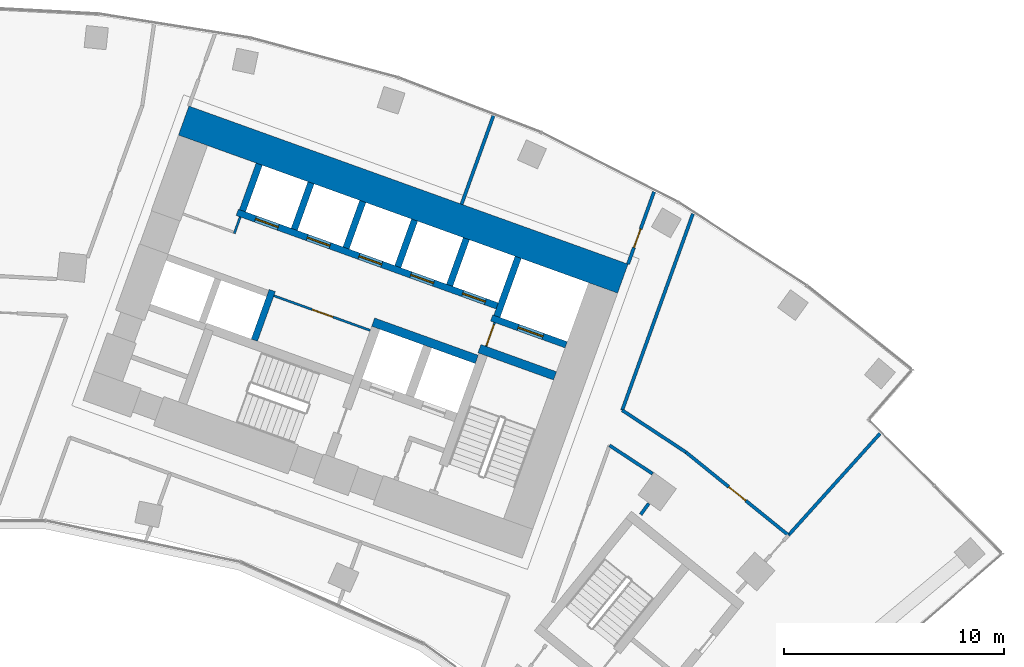
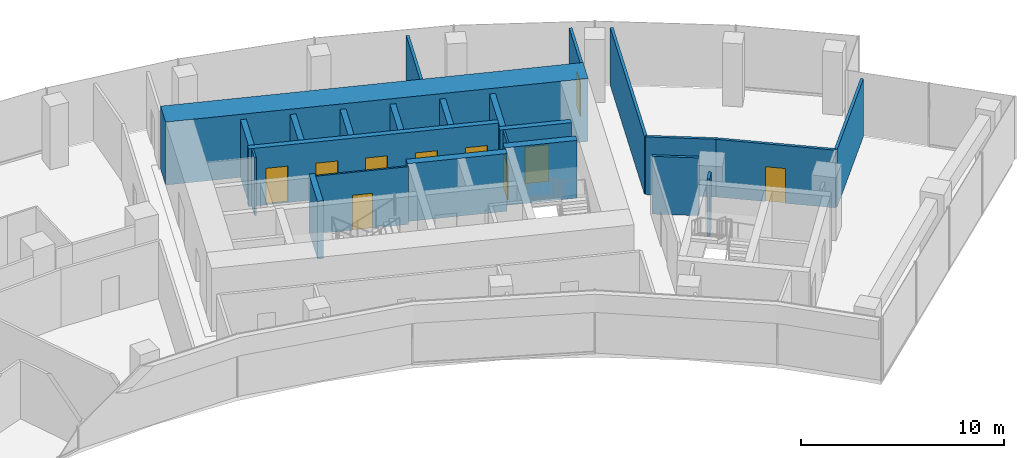
# One storey, part 17 of 20: 23 walls, 10 doors, 10 openings.
"""IFC4 building model written with IfcOpenShell, lengths in metres."""

import ifcopenshell
import ifcopenshell.guid

model = None  # the IFC model being written
_history = None  # IfcOwnerHistory: only IFC2X3 demands one
_inside = {}  # id of a spatial element -> (the spatial element, [elements in it])
_under = {}  # id of a project, library or spatial element -> (it, [spatial elements below it])
_declared = {}  # id of a project -> (the project, [libraries it declares])
_typed = {}  # id of a type object -> (the type object, [elements of that type])
_made_of = {}  # id of a material, layer set ... -> (it, [elements and type objects made of it])


def new_model(schema):
    """Start an empty IFC model of exactly this schema.

    Asked for "IFC4X3", IfcOpenShell would pick the latest addendum, in which some entities
    have other attributes; the version numbers below select the first issue.
    IFC2X3 requires an IfcOwnerHistory on every rooted entity: one is made here for all.
    """
    global model, _history
    if schema == "IFC4X3":
        model = ifcopenshell.file(schema_version=(4, 3, 0, 0))
    else:
        model = ifcopenshell.file(schema=schema)
    _inside.clear()
    _under.clear()
    _declared.clear()
    _typed.clear()
    _made_of.clear()
    _history = None
    if model.schema == "IFC2X3":
        org = make("IfcOrganization", Name="unknown")
        user = make(
            "IfcPersonAndOrganization",
            ThePerson=make("IfcPerson", FamilyName="unknown"),
            TheOrganization=org,
        )
        app = make(
            "IfcApplication",
            ApplicationDeveloper=org,
            Version="unknown",
            ApplicationFullName="unknown",
            ApplicationIdentifier="unknown",
        )
        _history = make(
            "IfcOwnerHistory",
            OwningUser=user,
            OwningApplication=app,
            ChangeAction="ADDED",
            CreationDate=0,
        )
    return model


def make(cls, **values):
    """One entity of the class cls with the attributes given. An attribute that is None is left unset."""
    return model.create_entity(
        cls, **{name: value for name, value in values.items() if value is not None}
    )


def rooted(cls, **values):
    """An entity with a GlobalId (a new one), such as an element, a storey or a relation."""
    return make(cls, GlobalId=ifcopenshell.guid.new(), OwnerHistory=_history, **values)


def si_unit(unit_type, name, prefix=None):
    """IfcSIUnit, for example si_unit("LENGTHUNIT", "METRE", prefix="MILLI")."""
    return make("IfcSIUnit", UnitType=unit_type, Prefix=prefix, Name=name)


def assignment(units):
    """IfcUnitAssignment: the units of a project."""
    return None if units is None else make("IfcUnitAssignment", Units=units)


def point(xyz):
    """IfcCartesianPoint."""
    return None if xyz is None else make("IfcCartesianPoint", Coordinates=xyz)


def direction(xyz):
    """IfcDirection."""
    return None if xyz is None else make("IfcDirection", DirectionRatios=xyz)


def frame(location, z_axis=None, x_axis=None):
    """IfcAxis2Placement3D, a coordinate frame: its origin and axes. An axis left out is left unset."""
    return make(
        "IfcAxis2Placement3D",
        Location=point(location),
        Axis=direction(z_axis),
        RefDirection=direction(x_axis),
    )


def frame_2d(location, x_axis=None):
    """IfcAxis2Placement2D, a coordinate frame in the plane: its origin and x axis."""
    return make(
        "IfcAxis2Placement2D", Location=point(location), RefDirection=direction(x_axis)
    )


def origin():
    """The frame at (0, 0, 0) with its axes left unset."""
    return frame((0.0, 0.0, 0.0))


def place(relative_to, where):
    """IfcLocalPlacement: puts the frame where relative to a parent placement (None: the world)."""
    return make(
        "IfcLocalPlacement", PlacementRelTo=relative_to, RelativePlacement=where
    )


def context(
    kind, dimensions, precision=None, world=None, true_north=None, identifier=None
):
    """IfcGeometricRepresentationContext, for example the 3D "Model" context."""
    return make(
        "IfcGeometricRepresentationContext",
        ContextIdentifier=identifier,
        ContextType=kind,
        CoordinateSpaceDimension=dimensions,
        Precision=precision,
        WorldCoordinateSystem=world,
        TrueNorth=true_north,
    )


def subcontext(parent, identifier, kind, view, scale=None):
    """IfcGeometricRepresentationSubContext, for example "Body" below "Model"."""
    return make(
        "IfcGeometricRepresentationSubContext",
        ContextIdentifier=identifier,
        ContextType=kind,
        ParentContext=parent,
        TargetScale=scale,
        TargetView=view,
    )


def project(units=None, contexts=None):
    """IfcProject with its units and contexts."""
    return rooted(
        "IfcProject",
        Name="project",
        RepresentationContexts=contexts,
        UnitsInContext=assignment(units),
    )


def spatial(cls, under=None, at=None, **own):
    """A site, building, storey or space (cls), placed at a placement, below another one or the project."""
    s = rooted(cls, ObjectPlacement=at, **own)
    if under is not None:
        _under.setdefault(under.id(), (under, []))[1].append(s)
    return s


def profile(cls, at=None, kind="AREA", **sizes):
    """A parametric profile (cls). Its sizes go by their IFC names, for example OverallWidth=200.0."""
    return make(cls, ProfileType=kind, Position=at, **sizes)


def rectangle(**sizes):
    """IfcRectangleProfileDef."""
    return profile("IfcRectangleProfileDef", **sizes)


def extrude(swept, where, along, depth):
    """IfcExtrudedAreaSolid: the profile swept, set in the frame where, extruded along a direction by depth."""
    return make(
        "IfcExtrudedAreaSolid",
        SweptArea=swept,
        Position=where,
        ExtrudedDirection=direction(along),
        Depth=depth,
    )


def shape(context_of_items, identifier, shape_type, items):
    """IfcShapeRepresentation: the items that make up one representation, for example the "Body"."""
    return make(
        "IfcShapeRepresentation",
        ContextOfItems=context_of_items,
        RepresentationIdentifier=identifier,
        RepresentationType=shape_type,
        Items=items,
    )


def material(Name=None, Category=None):
    """IfcMaterial."""
    return make("IfcMaterial", Name=Name, Category=Category)


def layer(
    of_material, thickness, ventilated=None, Name=None, Category=None, Priority=None
):
    """IfcMaterialLayer: one layer of a wall or slab, of a material (None: an air gap)."""
    return make(
        "IfcMaterialLayer",
        Material=of_material,
        LayerThickness=thickness,
        IsVentilated=ventilated,
        Name=Name,
        Category=Category,
        Priority=Priority,
    )


def layer_set(layers, Name=None):
    """IfcMaterialLayerSet."""
    return make("IfcMaterialLayerSet", MaterialLayers=layers, LayerSetName=Name)


def made_of(thing, what):
    """Note that an element or type object is made of a material, layer set ...; save() writes the relation."""
    if what is not None:
        _made_of.setdefault(what.id(), (what, []))[1].append(thing)
    return thing


def type_object(cls, material=None, **own):
    """A type object (cls), such as IfcWallType, which elements share."""
    return made_of(rooted(cls, **own), material)


def element(
    cls,
    number,
    at=None,
    inside=None,
    cuts=None,
    type_object=None,
    material=None,
    context=None,
    identifier="Body",
    shape_type=None,
    held_by="IfcProductDefinitionShape",
    body=None,
    shapes=None,
    **own,
):
    """One element of the class cls, such as IfcWall. Its Tag is "e" and its number.

    at: its placement. inside: the storey or other place that contains it. cuts: it is an
    opening in that element (IfcRelVoidsElement). A single representation is given by context,
    identifier, shape_type and body (its items); several are given by shapes. held_by: the class
    of the entity that holds the representations. save() writes the other relations.
    """
    e = rooted(cls, Tag="e%d" % number, ObjectPlacement=at, **own)
    if body is not None:
        shapes = [shape(context, identifier, shape_type, body)]
    if shapes is not None:
        e.Representation = make(held_by, Representations=shapes)
    if inside is not None:
        _inside.setdefault(inside.id(), (inside, []))[1].append(e)
    if cuts is not None:
        rooted(
            "IfcRelVoidsElement", RelatingBuildingElement=cuts, RelatedOpeningElement=e
        )
    if type_object is not None:
        _typed.setdefault(type_object.id(), (type_object, []))[1].append(e)
    return made_of(e, material)


def fill(opening, filler):
    """IfcRelFillsElement: the door or window that sits in an opening."""
    return rooted(
        "IfcRelFillsElement",
        RelatingOpeningElement=opening,
        RelatedBuildingElement=filler,
    )


def aggregate(whole, parts):
    """IfcRelAggregates: a whole, such as a stair, and the parts it consists of."""
    return rooted("IfcRelAggregates", RelatingObject=whole, RelatedObjects=parts)


def save(model, path):
    """Write the relations noted so far, then the file.

    IfcRelAggregates (storeys below a building ...), IfcRelContainedInSpatialStructure (elements
    in a storey), IfcRelDefinesByType, IfcRelAssociatesMaterial and IfcRelDeclares: one each for
    every whole, place, type object, material and project.
    """
    for whole, parts in _under.values():
        aggregate(whole, parts)
    for where, things in _inside.values():
        rooted(
            "IfcRelContainedInSpatialStructure",
            RelatedElements=things,
            RelatingStructure=where,
        )
    for kind, things in _typed.values():
        rooted("IfcRelDefinesByType", RelatedObjects=things, RelatingType=kind)
    for what, things in _made_of.values():
        rooted("IfcRelAssociatesMaterial", RelatedObjects=things, RelatingMaterial=what)
    for by, libraries in _declared.values():
        rooted("IfcRelDeclares", RelatingContext=by, RelatedDefinitions=libraries)
    model.write(path)


model = new_model("IFC4")

# Units and contexts
model_context = context("Model", 3, precision=1e-05, world=origin(), true_north=direction((0.0, 1.0)))
body_context = subcontext(model_context, "Body", "Model", "MODEL_VIEW")
ifc_project = project(units=[si_unit("LENGTHUNIT", "METRE"), si_unit("AREAUNIT", "SQUARE_METRE"), si_unit("VOLUMEUNIT", "CUBIC_METRE"), si_unit("PLANEANGLEUNIT", "RADIAN"), si_unit("MASSUNIT", "GRAM", prefix="KILO")], contexts=[model_context])

# Site, building, storey
site_placement = place(None, origin())
site = spatial("IfcSite", under=ifc_project, at=site_placement, CompositionType="ELEMENT")
building_placement = place(site_placement, origin())
building = spatial("IfcBuilding", under=site, at=building_placement, Name="Stone Belt Terrace Tower", CompositionType="ELEMENT")
storey_placement = place(building_placement, frame((0.0, 0.0, 174.39990234375)))
storey = spatial("IfcBuildingStorey", under=building, at=storey_placement, Name="L42", CompositionType="ELEMENT", Elevation=174.39990234375)

# Wall, opening, door
ifc_material_1 = material(Name="Plasterboard partition")
ifc_layer_1 = layer(ifc_material_1, 0.10009765625)
ifc_layer_set_1 = layer_set([ifc_layer_1], Name="Core partition 100")
wall_type_1 = type_object("IfcWallType", Name="Core partition 100", PredefinedType="PARTITIONING", material=ifc_layer_set_1)
wall_1_placement = place(storey_placement, frame((24.555908203125, 51.10400390625, 0.0), z_axis=(0.0, 0.0, 1.0), x_axis=(0.338621735342, 0.94092258999, 0.0)))
wall_1 = element("IfcWall", 1, at=wall_1_placement, inside=storey, type_object=wall_type_1, Name="Core B wall", PredefinedType="PARTITIONING", context=body_context, shape_type="SweptSolid", body=[
    extrude(rectangle(XDim=1.14990234375, YDim=0.10009765625, at=frame_2d((0.574951171875, 0.0))), origin(), (0.0, 0.0, 1.0), 3.47998046875),
])
opening_1_placement = place(wall_1_placement, frame((0.050048828125, 0.0, 0.0)))
opening_1 = element("IfcOpeningElement", 2, at=opening_1_placement, cuts=wall_1, Name="Opening L42-C14", PredefinedType="OPENING", context=body_context, shape_type="SweptSolid", body=[
    extrude(rectangle(XDim=1.0, YDim=2.10009765625, at=frame_2d((0.5, 1.050048828125))), frame((0.0, 0.06005859375, 0.0), z_axis=(0.0, -1.0, 0.0), x_axis=(1.0, 0.0, 0.0)), (0.0, 0.0, 1.0), 0.1201171875),
])
ifc_material_2 = material(Name="Timber door leaf", Category="wood")
door_type_1 = type_object("IfcDoorType", Name="Core room door 1000", OperationType="SINGLE_SWING_LEFT", PredefinedType="DOOR", material=ifc_material_2)
door_1_placement = place(opening_1_placement, origin())
door_1 = element("IfcDoor", 3, at=door_1_placement, inside=storey, type_object=door_type_1, Name="Service lift lobby door core B", OperationType="SINGLE_SWING_RIGHT", OverallHeight=2.10009765625, OverallWidth=1.0, PredefinedType="DOOR", context=body_context, shape_type="SweptSolid", body=[
    extrude(rectangle(XDim=1.0, YDim=2.10009765625, at=frame_2d((0.5, 1.050048828125))), frame((0.0, 0.02490234375, 0.0), z_axis=(0.0, -1.0, 0.0), x_axis=(1.0, 0.0, 0.0)), (0.0, 0.0, 1.0), 0.050048828125),
])
fill(opening_1, door_1)

wall_2_placement = place(storey_placement, frame((19.29052734375, 51.829833984375, 0.0), z_axis=(0.0, 0.0, 1.0), x_axis=(-0.940930240745, 0.338600475563, 0.0)))
wall_2 = element("IfcWall", 4, at=wall_2_placement, inside=storey, type_object=wall_type_1, Name="Core B wall", PredefinedType="PARTITIONING", context=body_context, shape_type="SweptSolid", body=[
    extrude(rectangle(XDim=4.64990234375, YDim=0.10009765625, at=frame_2d((2.324951171875, 0.0))), origin(), (0.0, 0.0, 1.0), 3.47998046875),
])
opening_2_placement = place(wall_2_placement, frame((1.800048828125, 0.0, 0.0)))
opening_2 = element("IfcOpeningElement", 5, at=opening_2_placement, cuts=wall_2, Name="Opening L42-C13", PredefinedType="OPENING", context=body_context, shape_type="SweptSolid", body=[
    extrude(rectangle(XDim=1.0, YDim=2.10009765625, at=frame_2d((0.5, 1.050048828125))), frame((0.0, 0.06005859375, 0.0), z_axis=(0.0, -1.0, 0.0), x_axis=(1.0, 0.0, 0.0)), (0.0, 0.0, 1.0), 0.1201171875),
])
door_2_placement = place(opening_2_placement, origin())
door_2 = element("IfcDoor", 6, at=door_2_placement, inside=storey, type_object=door_type_1, Name="Door to Staff pantry core B", OperationType="SINGLE_SWING_RIGHT", OverallHeight=2.10009765625, OverallWidth=1.0, PredefinedType="DOOR", context=body_context, shape_type="SweptSolid", body=[
    extrude(rectangle(XDim=1.0, YDim=2.10009765625, at=frame_2d((0.5, 1.050048828125))), frame((0.0, 0.02490234375, 0.0), z_axis=(0.0, -1.0, 0.0), x_axis=(1.0, 0.0, 0.0)), (0.0, 0.0, 1.0), 0.050048828125),
])
fill(opening_2, door_2)

# Walls
wall_3_placement = place(storey_placement, frame((13.115966796875, 56.230712890625, 0.0), z_axis=(0.0, 0.0, 1.0), x_axis=(0.338481684961, 0.940972979923, 0.0)))
element("IfcWall", 7, at=wall_3_placement, inside=storey, type_object=wall_type_1, Name="Core B wall", PredefinedType="PARTITIONING", context=body_context, shape_type="SweptSolid", body=[
    extrude(rectangle(XDim=0.7998046875, YDim=0.10009765625, at=frame_2d((0.39990234375, 0.0))), origin(), (0.0, 0.0, 1.0), 3.47998046875),
])
ifc_material_3 = material(Name="Concrete B80", Category="concrete")
ifc_layer_2 = layer(ifc_material_3, 1.39990234375)
ifc_layer_set_2 = layer_set([ifc_layer_2], Name="Core wall 1400 B80")
wall_type_2 = type_object("IfcWallType", Name="Core wall 1400 B80", PredefinedType="SHEAR", material=ifc_layer_set_2)
wall_4_placement = place(storey_placement, frame((10.81787109375, 61.362060546875, 0.0), z_axis=(0.0, 0.0, 1.0), x_axis=(0.940919704758, -0.338629752382, 0.0)))
element("IfcWall", 8, at=wall_4_placement, inside=storey, type_object=wall_type_2, Name="Core B wall convex L42", PredefinedType="SHEAR", context=body_context, shape_type="SweptSolid", body=[
    extrude(rectangle(XDim=21.199951171875, YDim=1.39990234375, at=frame_2d((10.60009765625, 0.0))), origin(), (0.0, 0.0, 1.0), 3.800048828125),
])
ifc_layer_3 = layer(ifc_material_3, 0.39990234375)
ifc_layer_set_3 = layer_set([ifc_layer_3], Name="Fire-fighting lift shaft wall 400")
wall_type_3 = type_object("IfcWallType", Name="Fire-fighting lift shaft wall 400", PredefinedType="SHEAR", material=ifc_layer_set_3)
wall_5_placement = place(storey_placement, frame((24.130615234375, 50.512939453125, 0.0), z_axis=(0.0, 0.0, 1.0), x_axis=(-0.94091168377, 0.338652038744, 0.0)))
element("IfcWall", 9, at=wall_5_placement, inside=storey, type_object=wall_type_3, Name="Core B wall", PredefinedType="SHEAR", context=body_context, shape_type="SweptSolid", body=[
    extrude(rectangle(XDim=5.000244140625, YDim=0.39990234375, at=frame_2d((2.5, 0.0))), origin(), (0.0, 0.0, 1.0), 3.47998046875),
])

# Wall, opening, door
ifc_layer_4 = layer(ifc_material_3, 0.300048828125)
ifc_layer_set_4 = layer_set([ifc_layer_4], Name="Lift shaft wall 300")
wall_type_4 = type_object("IfcWallType", Name="Lift shaft wall 300", PredefinedType="SHEAR", material=ifc_layer_set_4)
wall_6_placement = place(storey_placement, frame((28.195068359375, 51.17578125, 0.0), z_axis=(0.0, 0.0, 1.0), x_axis=(-0.940901243567, 0.338681044427, 0.0)))
wall_6 = element("IfcWall", 10, at=wall_6_placement, inside=storey, type_object=wall_type_4, Name="Core B wall", PredefinedType="SHEAR", context=body_context, shape_type="SweptSolid", body=[
    extrude(rectangle(XDim=3.599853515625, YDim=0.300048828125, at=frame_2d((1.7998046875, 0.0))), origin(), (0.0, 0.0, 1.0), 3.47998046875),
])
opening_3_placement = place(wall_6_placement, frame((1.1201171875, 0.0, 0.0)))
opening_3 = element("IfcOpeningElement", 11, at=opening_3_placement, cuts=wall_6, Name="Opening L42-LD16", PredefinedType="OPENING", context=body_context, shape_type="SweptSolid", body=[
    extrude(rectangle(XDim=1.199951171875, YDim=2.199951171875, at=frame_2d((0.60009765625, 1.10009765625))), frame((0.0, 0.159912109375, 0.0), z_axis=(0.0, -1.0, 0.0), x_axis=(1.0, 0.0, 0.0)), (0.0, 0.0, 1.0), 0.320068359375),
])
ifc_material_4 = material(Name="Stainless steel door leaf", Category="steel")
door_type_2 = type_object("IfcDoorType", Name="Landing door 1200", OperationType="SLIDING_TO_LEFT", PredefinedType="DOOR", material=ifc_material_4)
door_3_placement = place(opening_3_placement, origin())
door_3 = element("IfcDoor", 12, at=door_3_placement, inside=storey, type_object=door_type_2, Name="Landing door SV1 core B", OperationType="SLIDING_TO_LEFT", OverallHeight=2.199951171875, OverallWidth=1.199951171875, PredefinedType="DOOR", context=body_context, shape_type="SweptSolid", body=[
    extrude(rectangle(XDim=1.199951171875, YDim=2.199951171875, at=frame_2d((0.60009765625, 1.10009765625))), frame((0.0, 0.02490234375, 0.0), z_axis=(0.0, -1.0, 0.0), x_axis=(1.0, 0.0, 0.0)), (0.0, 0.0, 1.0), 0.050048828125),
])
fill(opening_3, door_3)

# Wall
wall_7_placement = place(storey_placement, frame((25.046875, 52.46826171875, 0.0), z_axis=(0.0, 0.0, 1.0), x_axis=(0.338549588058, 0.940948551423, 0.0)))
element("IfcWall", 13, at=wall_7_placement, inside=storey, type_object=wall_type_4, Name="Core B wall", PredefinedType="SHEAR", context=body_context, shape_type="SweptSolid", body=[
    extrude(rectangle(XDim=2.849853515625, YDim=0.300048828125, at=frame_2d((1.4248046875, 0.0))), origin(), (0.0, 0.0, 1.0), 3.47998046875),
])

# Wall, openings, doors
wall_8_placement = place(storey_placement, frame((25.05810546875, 52.9423828125, 0.0), z_axis=(0.0, 0.0, 1.0), x_axis=(-0.940921381676, 0.338625092847, 0.0)))
wall_8 = element("IfcWall", 14, at=wall_8_placement, inside=storey, type_object=wall_type_4, Name="Core B wall", PredefinedType="SHEAR", context=body_context, shape_type="SweptSolid", body=[
    extrude(rectangle(XDim=12.550048828125, YDim=0.300048828125, at=frame_2d((6.27490234375, 0.0))), origin(), (0.0, 0.0, 1.0), 3.47998046875),
])
opening_4_placement = place(wall_8_placement, frame((0.570068359375, 0.0, 0.0)))
opening_4 = element("IfcOpeningElement", 15, at=opening_4_placement, cuts=wall_8, Name="Opening L42-LD09", PredefinedType="OPENING", context=body_context, shape_type="SweptSolid", body=[
    extrude(rectangle(XDim=1.10009765625, YDim=2.199951171875, at=frame_2d((0.550048828125, 1.10009765625))), frame((0.0, 0.159912109375, 0.0), z_axis=(0.0, -1.0, 0.0), x_axis=(1.0, 0.0, 0.0)), (0.0, 0.0, 1.0), 0.320068359375),
])
opening_5_placement = place(wall_8_placement, frame((3.070068359375, 0.0, 0.0)))
opening_5 = element("IfcOpeningElement", 16, at=opening_5_placement, cuts=wall_8, Name="Opening L42-LD10", PredefinedType="OPENING", context=body_context, shape_type="SweptSolid", body=[
    extrude(rectangle(XDim=1.10009765625, YDim=2.199951171875, at=frame_2d((0.550048828125, 1.10009765625))), frame((0.0, 0.159912109375, 0.0), z_axis=(0.0, -1.0, 0.0), x_axis=(1.0, 0.0, 0.0)), (0.0, 0.0, 1.0), 0.320068359375),
])
opening_6_placement = place(wall_8_placement, frame((5.570068359375, 0.0, 0.0)))
opening_6 = element("IfcOpeningElement", 17, at=opening_6_placement, cuts=wall_8, Name="Opening L42-LD11", PredefinedType="OPENING", context=body_context, shape_type="SweptSolid", body=[
    extrude(rectangle(XDim=1.10009765625, YDim=2.199951171875, at=frame_2d((0.550048828125, 1.10009765625))), frame((0.0, 0.159912109375, 0.0), z_axis=(0.0, -1.0, 0.0), x_axis=(1.0, 0.0, 0.0)), (0.0, 0.0, 1.0), 0.320068359375),
])
opening_7_placement = place(wall_8_placement, frame((8.070068359375, 0.0, 0.0)))
opening_7 = element("IfcOpeningElement", 18, at=opening_7_placement, cuts=wall_8, Name="Opening L42-LD12", PredefinedType="OPENING", context=body_context, shape_type="SweptSolid", body=[
    extrude(rectangle(XDim=1.10009765625, YDim=2.199951171875, at=frame_2d((0.550048828125, 1.10009765625))), frame((0.0, 0.159912109375, 0.0), z_axis=(0.0, -1.0, 0.0), x_axis=(1.0, 0.0, 0.0)), (0.0, 0.0, 1.0), 0.320068359375),
])
opening_8_placement = place(wall_8_placement, frame((10.570068359375, 0.0, 0.0)))
opening_8 = element("IfcOpeningElement", 19, at=opening_8_placement, cuts=wall_8, Name="Opening L42-LD13", PredefinedType="OPENING", context=body_context, shape_type="SweptSolid", body=[
    extrude(rectangle(XDim=1.10009765625, YDim=2.199951171875, at=frame_2d((0.550048828125, 1.10009765625))), frame((0.0, 0.159912109375, 0.0), z_axis=(0.0, -1.0, 0.0), x_axis=(1.0, 0.0, 0.0)), (0.0, 0.0, 1.0), 0.320068359375),
])
door_type_3 = type_object("IfcDoorType", Name="Landing door 1100", OperationType="SLIDING_TO_LEFT", PredefinedType="DOOR", material=ifc_material_4)
door_4_placement = place(opening_4_placement, origin())
door_4 = element("IfcDoor", 20, at=door_4_placement, inside=storey, type_object=door_type_3, Name="Landing door MR1 core B", OperationType="SLIDING_TO_LEFT", OverallHeight=2.199951171875, OverallWidth=1.10009765625, PredefinedType="DOOR", context=body_context, shape_type="SweptSolid", body=[
    extrude(rectangle(XDim=1.10009765625, YDim=2.199951171875, at=frame_2d((0.550048828125, 1.10009765625))), frame((0.0, 0.02490234375, 0.0), z_axis=(0.0, -1.0, 0.0), x_axis=(1.0, 0.0, 0.0)), (0.0, 0.0, 1.0), 0.050048828125),
])
fill(opening_4, door_4)
door_5_placement = place(opening_5_placement, origin())
door_5 = element("IfcDoor", 21, at=door_5_placement, inside=storey, type_object=door_type_3, Name="Landing door MR2 core B", OperationType="SLIDING_TO_LEFT", OverallHeight=2.199951171875, OverallWidth=1.10009765625, PredefinedType="DOOR", context=body_context, shape_type="SweptSolid", body=[
    extrude(rectangle(XDim=1.10009765625, YDim=2.199951171875, at=frame_2d((0.550048828125, 1.10009765625))), frame((0.0, 0.02490234375, 0.0), z_axis=(0.0, -1.0, 0.0), x_axis=(1.0, 0.0, 0.0)), (0.0, 0.0, 1.0), 0.050048828125),
])
fill(opening_5, door_5)
door_6_placement = place(opening_6_placement, origin())
door_6 = element("IfcDoor", 22, at=door_6_placement, inside=storey, type_object=door_type_3, Name="Landing door MR3 core B", OperationType="SLIDING_TO_LEFT", OverallHeight=2.199951171875, OverallWidth=1.10009765625, PredefinedType="DOOR", context=body_context, shape_type="SweptSolid", body=[
    extrude(rectangle(XDim=1.10009765625, YDim=2.199951171875, at=frame_2d((0.550048828125, 1.10009765625))), frame((0.0, 0.02490234375, 0.0), z_axis=(0.0, -1.0, 0.0), x_axis=(1.0, 0.0, 0.0)), (0.0, 0.0, 1.0), 0.050048828125),
])
fill(opening_6, door_6)
door_7_placement = place(opening_7_placement, origin())
door_7 = element("IfcDoor", 23, at=door_7_placement, inside=storey, type_object=door_type_3, Name="Landing door MR4 core B", OperationType="SLIDING_TO_LEFT", OverallHeight=2.199951171875, OverallWidth=1.10009765625, PredefinedType="DOOR", context=body_context, shape_type="SweptSolid", body=[
    extrude(rectangle(XDim=1.10009765625, YDim=2.199951171875, at=frame_2d((0.550048828125, 1.10009765625))), frame((0.0, 0.02490234375, 0.0), z_axis=(0.0, -1.0, 0.0), x_axis=(1.0, 0.0, 0.0)), (0.0, 0.0, 1.0), 0.050048828125),
])
fill(opening_7, door_7)
door_8_placement = place(opening_8_placement, origin())
door_8 = element("IfcDoor", 24, at=door_8_placement, inside=storey, type_object=door_type_3, Name="Landing door MR5 core B", OperationType="SLIDING_TO_LEFT", OverallHeight=2.199951171875, OverallWidth=1.10009765625, PredefinedType="DOOR", context=body_context, shape_type="SweptSolid", body=[
    extrude(rectangle(XDim=1.10009765625, YDim=2.199951171875, at=frame_2d((0.550048828125, 1.10009765625))), frame((0.0, 0.02490234375, 0.0), z_axis=(0.0, -1.0, 0.0), x_axis=(1.0, 0.0, 0.0)), (0.0, 0.0, 1.0), 0.050048828125),
])
fill(opening_8, door_8)

# Walls
wall_9_placement = place(storey_placement, frame((22.897705078125, 53.87939453125, 0.0), z_axis=(0.0, 0.0, 1.0), x_axis=(0.338535034312, 0.940953787677, 0.0)))
element("IfcWall", 25, at=wall_9_placement, inside=storey, type_object=wall_type_4, Name="Core B wall", PredefinedType="SHEAR", context=body_context, shape_type="SweptSolid", body=[
    extrude(rectangle(XDim=2.25, YDim=0.300048828125, at=frame_2d((1.125, 0.0))), origin(), (0.0, 0.0, 1.0), 3.47998046875),
])
wall_10_placement = place(storey_placement, frame((20.54541015625, 54.72607421875, 0.0), z_axis=(0.0, 0.0, 1.0), x_axis=(0.338569601369, 0.940941350472, 0.0)))
element("IfcWall", 26, at=wall_10_placement, inside=storey, type_object=wall_type_4, Name="Core B wall", PredefinedType="SHEAR", context=body_context, shape_type="SweptSolid", body=[
    extrude(rectangle(XDim=2.249755859375, YDim=0.300048828125, at=frame_2d((1.125, 0.0))), origin(), (0.0, 0.0, 1.0), 3.47998046875),
])
wall_11_placement = place(storey_placement, frame((18.193115234375, 55.572509765625, 0.0), z_axis=(0.0, 0.0, 1.0), x_axis=(0.338535034312, 0.940953787677, 0.0)))
element("IfcWall", 27, at=wall_11_placement, inside=storey, type_object=wall_type_4, Name="Core B wall", PredefinedType="SHEAR", context=body_context, shape_type="SweptSolid", body=[
    extrude(rectangle(XDim=2.25, YDim=0.300048828125, at=frame_2d((1.125, 0.0))), origin(), (0.0, 0.0, 1.0), 3.47998046875),
])
wall_12_placement = place(storey_placement, frame((14.029052734375, 51.38525390625, 0.0), z_axis=(0.0, 0.0, 1.0), x_axis=(0.338661829791, 0.940908159728, 0.0)))
element("IfcWall", 28, at=wall_12_placement, inside=storey, type_object=wall_type_4, Name="Core B wall", PredefinedType="SHEAR", context=body_context, shape_type="SweptSolid", body=[
    extrude(rectangle(XDim=2.39990234375, YDim=0.300048828125, at=frame_2d((1.199951171875, 0.0))), origin(), (0.0, 0.0, 1.0), 3.47998046875),
])
wall_13_placement = place(storey_placement, frame((15.8408203125, 56.419189453125, 0.0), z_axis=(0.0, 0.0, 1.0), x_axis=(0.338569601369, 0.940941350472, 0.0)))
element("IfcWall", 29, at=wall_13_placement, inside=storey, type_object=wall_type_4, Name="Core B wall", PredefinedType="SHEAR", context=body_context, shape_type="SweptSolid", body=[
    extrude(rectangle(XDim=2.249755859375, YDim=0.300048828125, at=frame_2d((1.125, 0.0))), origin(), (0.0, 0.0, 1.0), 3.47998046875),
])
wall_14_placement = place(storey_placement, frame((13.48828125, 57.265625, 0.0), z_axis=(0.0, 0.0, 1.0), x_axis=(0.338631098537, 0.940919220286, 0.0)))
element("IfcWall", 30, at=wall_14_placement, inside=storey, type_object=wall_type_4, Name="Core B wall", PredefinedType="SHEAR", context=body_context, shape_type="SweptSolid", body=[
    extrude(rectangle(XDim=2.250244140625, YDim=0.300048828125, at=frame_2d((1.125, 0.0))), origin(), (0.0, 0.0, 1.0), 3.47998046875),
])

# Wall, opening, door
ifc_material_5 = material(Name="Gypsum board partition")
ifc_layer_5 = layer(ifc_material_5, 0.14990234375)
ifc_layer_set_5 = layer_set([ifc_layer_5], Name="PARTITION 150 EI 60")
wall_type_5 = type_object("IfcWallType", Name="PARTITION 150 EI 60", PredefinedType="PARTITIONING", material=ifc_layer_set_5)
wall_15_placement = place(storey_placement, frame((31.001953125, 54.842041015625, 0.0), z_axis=(0.0, 0.0, 1.0), x_axis=(0.338662585219, 0.940907887826, 0.0)))
wall_15 = element("IfcWall", 31, at=wall_15_placement, inside=storey, type_object=wall_type_5, Name="L42/wall/i027", PredefinedType="PARTITIONING", context=body_context, shape_type="SweptSolid", body=[
    extrude(rectangle(XDim=3.49560546875, YDim=0.14990234375, at=frame_2d((1.747802734375, 0.0))), origin(), (0.0, 0.0, 1.0), 3.47998046875),
])
opening_9_placement = place(wall_15_placement, frame((0.798828125, 0.0, 0.0)))
opening_9 = element("IfcOpeningElement", 32, at=opening_9_placement, cuts=wall_15, Name="Opening D-C3-10", PredefinedType="OPENING", context=body_context, shape_type="SweptSolid", body=[
    extrude(rectangle(XDim=0.89990234375, YDim=2.10009765625, at=frame_2d((0.449951171875, 1.050048828125))), frame((0.0, 0.0849609375, 0.0), z_axis=(0.0, -1.0, 0.0), x_axis=(1.0, 0.0, 0.0)), (0.0, 0.0, 1.0), 0.169921875),
])
door_type_4 = type_object("IfcDoorType", Name="OFFICE DOOR 900 X 2100", OperationType="NOTDEFINED", PredefinedType="DOOR", material=ifc_material_2)
door_9_placement = place(opening_9_placement, origin())
door_9 = element("IfcDoor", 33, at=door_9_placement, inside=storey, type_object=door_type_4, Name="L42/door/i10", OperationType="SINGLE_SWING_LEFT", OverallHeight=2.10009765625, OverallWidth=0.89990234375, PredefinedType="DOOR", context=body_context, shape_type="SweptSolid", body=[
    extrude(rectangle(XDim=0.89990234375, YDim=2.10009765625, at=frame_2d((0.449951171875, 1.050048828125))), frame((0.0, 0.02490234375, 0.0), z_axis=(0.0, -1.0, 0.0), x_axis=(1.0, 0.0, 0.0)), (0.0, 0.0, 1.0), 0.050048828125),
])
fill(opening_9, door_9)

# Walls
wall_16_placement = place(storey_placement, frame((33.951904296875, 57.131103515625, 0.0), z_axis=(0.0, 0.0, 1.0), x_axis=(-0.338586530295, -0.940935258933, 0.0)))
element("IfcWall", 34, at=wall_16_placement, inside=storey, type_object=wall_type_5, Name="L42/wall/i031", PredefinedType="PARTITIONING", context=body_context, shape_type="SweptSolid", body=[
    extrude(rectangle(XDim=9.494873046875, YDim=0.14990234375, at=frame_2d((4.74755859375, 0.0))), origin(), (0.0, 0.0, 1.0), 3.47998046875),
])
wall_17_placement = place(storey_placement, frame((24.887939453125, 61.580078125, 0.0), z_axis=(0.0, 0.0, 1.0), x_axis=(-0.338697194196, -0.940895430238, 0.0)))
element("IfcWall", 35, at=wall_17_placement, inside=storey, type_object=wall_type_5, Name="L42/wall/i039", PredefinedType="PARTITIONING", context=body_context, shape_type="SweptSolid", body=[
    extrude(rectangle(XDim=4.26953125, YDim=0.14990234375, at=frame_2d((2.134765625, 0.0))), origin(), (0.0, 0.0, 1.0), 3.47998046875),
])
wall_18_placement = place(storey_placement, frame((38.287109375, 42.52099609375, 0.0), z_axis=(0.0, 0.0, 1.0), x_axis=(0.669068687451, 0.743200572842, 0.0)))
element("IfcWall", 36, at=wall_18_placement, inside=storey, type_object=wall_type_5, Name="L42/wall/i065", PredefinedType="PARTITIONING", context=body_context, shape_type="SweptSolid", body=[
    extrude(rectangle(XDim=6.227783203125, YDim=0.14990234375, at=frame_2d((3.11376953125, 0.0))), origin(), (0.0, 0.0, 1.0), 3.47998046875),
])
wall_19_placement = place(storey_placement, frame((31.580078125, 43.466064453125, 0.0), z_axis=(0.0, 0.0, 1.0), x_axis=(0.58798371838, 0.808872763121, 0.0)))
element("IfcWall", 37, at=wall_19_placement, inside=storey, type_object=wall_type_5, Name="L42/wall/i066", PredefinedType="PARTITIONING", context=body_context, shape_type="SweptSolid", body=[
    extrude(rectangle(XDim=0.617919921875, YDim=0.14990234375, at=frame_2d((0.30908203125, 0.0))), origin(), (0.0, 0.0, 1.0), 3.47998046875),
])
wall_20_placement = place(storey_placement, frame((32.1181640625, 45.321044921875, 0.0), z_axis=(0.0, 0.0, 1.0), x_axis=(-0.835424653074, 0.549604993641, 0.0)))
element("IfcWall", 38, at=wall_20_placement, inside=storey, type_object=wall_type_5, Name="L42/wall/i067", PredefinedType="PARTITIONING", context=body_context, shape_type="SweptSolid", body=[
    extrude(rectangle(XDim=2.337890625, YDim=0.14990234375, at=frame_2d((1.1689453125, 0.0))), origin(), (0.0, 0.0, 1.0), 3.47998046875),
])
wall_21_placement = place(storey_placement, frame((30.739013671875, 48.202880859375, 0.0), z_axis=(0.0, 0.0, 1.0), x_axis=(0.835274160171, -0.549833681535, 0.0)))
element("IfcWall", 39, at=wall_21_placement, inside=storey, type_object=wall_type_5, Name="L42/wall/i068", PredefinedType="PARTITIONING", context=body_context, shape_type="SweptSolid", body=[
    extrude(rectangle(XDim=3.46826171875, YDim=0.14990234375, at=frame_2d((1.734130859375, 0.0))), origin(), (0.0, 0.0, 1.0), 3.47998046875),
])

# Wall, opening, door
wall_22_placement = place(storey_placement, frame((33.635986328125, 46.2958984375, 0.0), z_axis=(0.0, 0.0, 1.0), x_axis=(0.77714422733, -0.629322532513, 0.0)))
wall_22 = element("IfcWall", 40, at=wall_22_placement, inside=storey, type_object=wall_type_5, Name="L42/wall/i069", PredefinedType="PARTITIONING", context=body_context, shape_type="SweptSolid", body=[
    extrude(rectangle(XDim=5.98876953125, YDim=0.14990234375, at=frame_2d((2.994384765625, 0.0))), origin(), (0.0, 0.0, 1.0), 3.47998046875),
])
opening_10_placement = place(wall_22_placement, frame((2.494384765625, 0.0, 0.0)))
opening_10 = element("IfcOpeningElement", 41, at=opening_10_placement, cuts=wall_22, Name="Opening D-C3-22", PredefinedType="OPENING", context=body_context, shape_type="SweptSolid", body=[
    extrude(rectangle(XDim=1.0, YDim=2.10009765625, at=frame_2d((0.5, 1.050048828125))), frame((0.0, 0.0849609375, 0.0), z_axis=(0.0, -1.0, 0.0), x_axis=(1.0, 0.0, 0.0)), (0.0, 0.0, 1.0), 0.169921875),
])
ifc_material_6 = material(Name="Timber fire door leaf", Category="wood")
door_type_5 = type_object("IfcDoorType", Name="TENANCY ENTRANCE DOOR 1000 X 2100", OperationType="NOTDEFINED", PredefinedType="DOOR", material=ifc_material_6)
door_10_placement = place(opening_10_placement, origin())
door_10 = element("IfcDoor", 42, at=door_10_placement, inside=storey, type_object=door_type_5, Name="L42/door/i22", OperationType="SINGLE_SWING_RIGHT", OverallHeight=2.10009765625, OverallWidth=1.0, PredefinedType="DOOR", context=body_context, shape_type="SweptSolid", body=[
    extrude(rectangle(XDim=1.0, YDim=2.10009765625, at=frame_2d((0.5, 1.050048828125))), frame((0.0, 0.02490234375, 0.0), z_axis=(0.0, -1.0, 0.0), x_axis=(1.0, 0.0, 0.0)), (0.0, 0.0, 1.0), 0.050048828125),
])
fill(opening_10, door_10)

# Wall
ifc_layer_6 = layer(ifc_material_3, 0.39990234375)
ifc_layer_set_6 = layer_set([ifc_layer_6], Name="Stair enclosure wall 400")
wall_type_6 = type_object("IfcWallType", Name="Stair enclosure wall 400", PredefinedType="SHEAR", material=ifc_layer_set_6)
wall_23_placement = place(storey_placement, frame((27.687255859375, 49.764404296875, 0.0), z_axis=(0.0, 0.0, 1.0), x_axis=(-0.940918954884, 0.338631835981, 0.0)))
element("IfcWall", 43, at=wall_23_placement, inside=storey, type_object=wall_type_6, Name="Core B wall", PredefinedType="SHEAR", context=body_context, shape_type="SweptSolid", body=[
    extrude(rectangle(XDim=3.650146484375, YDim=0.39990234375, at=frame_2d((1.8251953125, 0.0))), origin(), (0.0, 0.0, 1.0), 3.47998046875),
])

save(model, "model.ifc")
